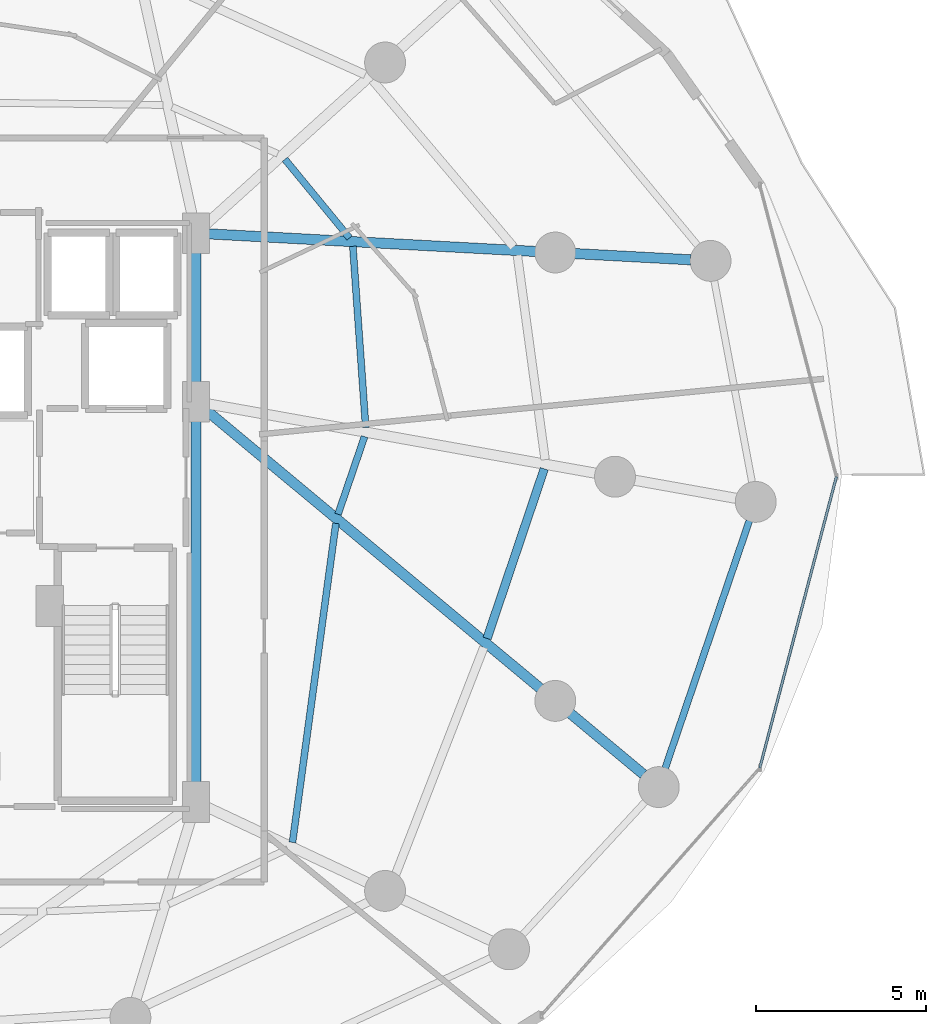
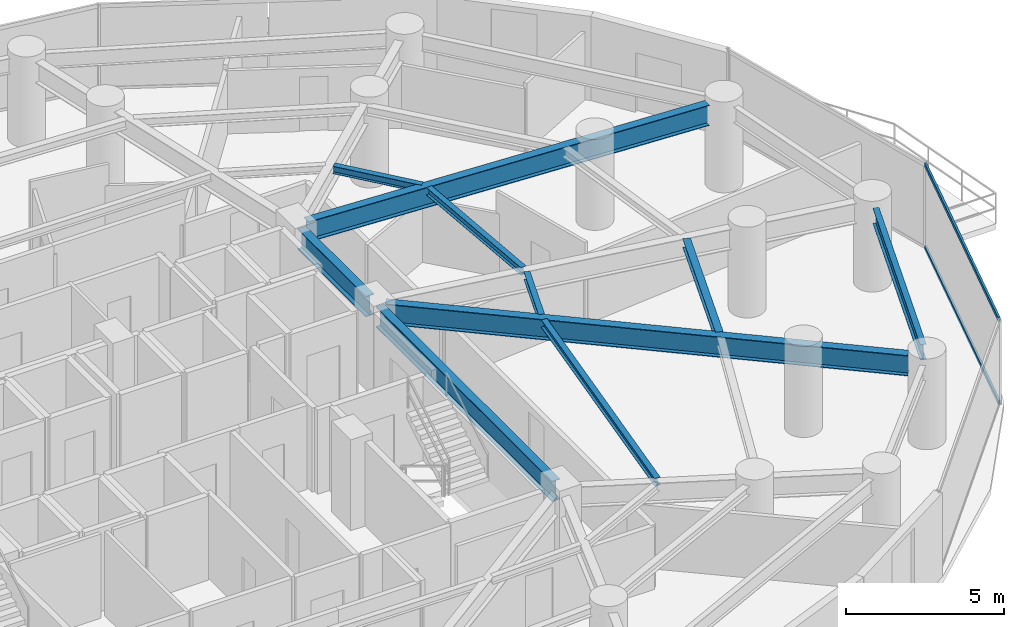
# One storey, part 14 of 33: 10 beams, 2 members, 1 element without a shape of its own.
"""IFC4 building model written with IfcOpenShell, lengths in metres."""

from ifc_helpers import new_model, si_unit, direction, frame, origin, origin_2d, place, context, subcontext, project, spatial, hollow_rectangle, i_section, extrude, material, material_profile, profile_set, type_object, element, aggregate, save


model = new_model("IFC4")

# Units and contexts
model_context = context("Model", 3, precision=1e-05, world=origin(), true_north=direction((0.0, 1.0)))
body_context = subcontext(model_context, "Body", "Model", "MODEL_VIEW")
ifc_project = project(units=[si_unit("LENGTHUNIT", "METRE"), si_unit("AREAUNIT", "SQUARE_METRE"), si_unit("VOLUMEUNIT", "CUBIC_METRE"), si_unit("PLANEANGLEUNIT", "RADIAN"), si_unit("MASSUNIT", "GRAM", prefix="KILO")], contexts=[model_context])

# Site, building, storey
site_placement = place(None, origin())
site = spatial("IfcSite", under=ifc_project, at=site_placement, CompositionType="ELEMENT")
building_placement = place(site_placement, origin())
building = spatial("IfcBuilding", under=site, at=building_placement, Name="Vorneva Point Tower", CompositionType="ELEMENT")
storey_placement = place(building_placement, frame((0.0, 0.0, 59.0)))
storey = spatial("IfcBuildingStorey", under=building, at=storey_placement, Name="L15", CompositionType="ELEMENT", Elevation=59.0)

# Beams
ifc_material_1 = material(Name="Steel S355", Category="steel")
ifc_material_profile_1 = material_profile(ifc_material_1, i_section(OverallWidth=0.300048828125, OverallDepth=0.7880859375, WebThickness=0.014404296875, FlangeThickness=0.02197265625, at=origin_2d()), Name="80Sh1")
ifc_profile_set_1 = profile_set([ifc_material_profile_1], Name="Steel S355")
beam_type_1 = type_object("IfcBeamType", Name="BM-GRD-80Sh1", PredefinedType="USERDEFINED", material=ifc_profile_set_1)
beam_1_placement = place(storey_placement, frame((63.267333984375, 32.368408203125, 2.845947265625), z_axis=(-0.998554321193, 0.053751908115, 0.0), x_axis=(-0.053751908115, -0.998554321193, 0.0)))
element("IfcBeam", 1, at=beam_1_placement, inside=storey, type_object=beam_type_1, Name="L15 Radial Primary Girder 02", ObjectType="GIRDER", PredefinedType="USERDEFINED", context=body_context, shape_type="SweptSolid", body=[
    extrude(i_section(OverallWidth=0.300048828125, OverallDepth=0.7880859375, WebThickness=0.014404296875, FlangeThickness=0.02197265625, at=origin_2d()), origin(), (0.0, 0.0, 1.0), 14.1982421875),
])
beam_2_placement = place(storey_placement, frame((61.883056640625, 17.2626953125, 2.845947265625), z_axis=(-0.768420748131, 0.639944961572, 0.0), x_axis=(-0.639944961572, -0.768420748131, 0.0)))
element("IfcBeam", 2, at=beam_2_placement, inside=storey, type_object=beam_type_1, Name="L15 Radial Primary Girder 16", ObjectType="GIRDER", PredefinedType="USERDEFINED", context=body_context, shape_type="SweptSolid", body=[
    extrude(i_section(OverallWidth=0.300048828125, OverallDepth=0.7880859375, WebThickness=0.014404296875, FlangeThickness=0.02197265625, at=origin_2d()), origin(), (0.0, 0.0, 1.0), 16.7509765625),
])
beam_3_placement = place(storey_placement, frame((48.75, 16.77001953125, 2.845947265625), z_axis=(0.0, 1.0, 0.0), x_axis=(-1.0, 0.0, 0.0)))
element("IfcBeam", 3, at=beam_3_placement, inside=storey, type_object=beam_type_1, Name="L15 Core Tie Girder CT3", ObjectType="GIRDER", PredefinedType="USERDEFINED", context=body_context, shape_type="SweptSolid", body=[
    extrude(i_section(OverallWidth=0.300048828125, OverallDepth=0.7880859375, WebThickness=0.014404296875, FlangeThickness=0.02197265625, at=origin_2d()), origin(), (0.0, 0.0, 1.0), 11.10986328125),
])
beam_4_placement = place(storey_placement, frame((48.75, 28.52001953125, 2.845947265625), z_axis=(0.0, 1.0, 0.0), x_axis=(-1.0, 0.0, 0.0)))
element("IfcBeam", 4, at=beam_4_placement, inside=storey, type_object=beam_type_1, Name="L15 Core Tie Girder CT4", ObjectType="GIRDER", PredefinedType="USERDEFINED", context=body_context, shape_type="SweptSolid", body=[
    extrude(i_section(OverallWidth=0.300048828125, OverallDepth=0.7880859375, WebThickness=0.014404296875, FlangeThickness=0.02197265625, at=origin_2d()), origin(), (0.0, 0.0, 1.0), 4.31005859375),
])
ifc_material_profile_2 = material_profile(ifc_material_1, i_section(OverallWidth=0.199951171875, OverallDepth=0.291015625, WebThickness=0.008056640625, FlangeThickness=0.010986328125, at=origin_2d()), Name="30Sh1")
ifc_profile_set_2 = profile_set([ifc_material_profile_2], Name="Steel S355")
beam_type_2 = type_object("IfcBeamType", Name="BM-SEC-30Sh1", PredefinedType="BEAM", material=ifc_profile_set_2)
beam_5_placement = place(storey_placement, frame((53.73046875, 27.445068359375, 3.094482421875), z_axis=(-0.070863166542, 0.997486045831, 0.0), x_axis=(-0.997486045831, -0.070863166542, 0.0)))
element("IfcBeam", 5, at=beam_5_placement, inside=storey, type_object=beam_type_2, Name="L15 Secondary Floor Beam 2.01", PredefinedType="BEAM", context=body_context, shape_type="SweptSolid", body=[
    extrude(i_section(OverallWidth=0.199951171875, OverallDepth=0.291015625, WebThickness=0.008056640625, FlangeThickness=0.010986328125, at=origin_2d()), origin(), (0.0, 0.0, 1.0), 5.333251953125),
])
beam_6_placement = place(storey_placement, frame((53.25537109375, 33.00927734375, 3.094482421875), z_axis=(-0.634779472227, 0.772693355503, 0.0), x_axis=(-0.772693355503, -0.634779472227, 0.0)))
element("IfcBeam", 6, at=beam_6_placement, inside=storey, type_object=beam_type_2, Name="L15 Secondary Floor Beam 2.02", PredefinedType="BEAM", context=body_context, shape_type="SweptSolid", body=[
    extrude(i_section(OverallWidth=0.199951171875, OverallDepth=0.291015625, WebThickness=0.008056640625, FlangeThickness=0.010986328125, at=origin_2d()), origin(), (0.0, 0.0, 1.0), 2.989990234375),
])
beam_7_placement = place(storey_placement, frame((51.580810546875, 15.2626953125, 3.094482421875), z_axis=(0.134707523593, 0.99088540361, 0.0), x_axis=(-0.99088540361, 0.134707523593, 0.0)))
element("IfcBeam", 7, at=beam_7_placement, inside=storey, type_object=beam_type_2, Name="L15 Secondary Floor Beam 2.15", PredefinedType="BEAM", context=body_context, shape_type="SweptSolid", body=[
    extrude(i_section(OverallWidth=0.199951171875, OverallDepth=0.291015625, WebThickness=0.008056640625, FlangeThickness=0.010986328125, at=origin_2d()), origin(), (0.0, 0.0, 1.0), 9.453369140625),
])
beam_8_placement = place(storey_placement, frame((52.91748046875, 24.897216796875, 3.094482421875), z_axis=(0.323121713723, 0.946357415631, 0.0), x_axis=(-0.946357415631, 0.323121713723, 0.0)))
element("IfcBeam", 8, at=beam_8_placement, inside=storey, type_object=beam_type_2, Name="L15 Secondary Floor Beam 2.16", PredefinedType="BEAM", context=body_context, shape_type="SweptSolid", body=[
    extrude(i_section(OverallWidth=0.199951171875, OverallDepth=0.291015625, WebThickness=0.008056640625, FlangeThickness=0.010986328125, at=origin_2d()), origin(), (0.0, 0.0, 1.0), 2.40869140625),
])
ifc_material_profile_3 = material_profile(ifc_material_1, i_section(OverallWidth=0.2490234375, OverallDepth=0.333984375, WebThickness=0.008056640625, FlangeThickness=0.010986328125, at=origin_2d()), Name="35Sh1")
ifc_profile_set_3 = profile_set([ifc_material_profile_3], Name="Steel S355")
beam_type_3 = type_object("IfcBeamType", Name="BM-SEC-35Sh1", PredefinedType="BEAM", material=ifc_profile_set_3)
beam_9_placement = place(storey_placement, frame((57.293212890625, 21.252685546875, 3.072998046875), z_axis=(0.319500788123, 0.947586010022, 0.0), x_axis=(-0.947586010022, 0.319500788123, 0.0)))
element("IfcBeam", 9, at=beam_9_placement, inside=storey, type_object=beam_type_3, Name="L15 Secondary Floor Beam 1.16", PredefinedType="BEAM", context=body_context, shape_type="SweptSolid", body=[
    extrude(i_section(OverallWidth=0.2490234375, OverallDepth=0.333984375, WebThickness=0.008056640625, FlangeThickness=0.010986328125, at=origin_2d()), origin(), (0.0, 0.0, 1.0), 5.255615234375),
])
ifc_material_profile_4 = material_profile(ifc_material_1, i_section(OverallWidth=0.198974609375, OverallDepth=0.595947265625, WebThickness=0.010009765625, FlangeThickness=0.014892578125, at=origin_2d()), Name="60B1")
ifc_profile_set_4 = profile_set([ifc_material_profile_4], Name="Steel S355")
beam_type_4 = type_object("IfcBeamType", Name="BM-SPN-60B1", PredefinedType="SPANDREL", material=ifc_profile_set_4)
beam_10_placement = place(storey_placement, frame((62.523193359375, 17.4404296875, 2.94189453125), z_axis=(0.321909576381, 0.946770418124, 0.0), x_axis=(-0.946770418124, 0.321909576381, 0.0)))
element("IfcBeam", 10, at=beam_10_placement, inside=storey, type_object=beam_type_4, Name="L15 Perimeter Spandrel Ring Beam 16", PredefinedType="SPANDREL", context=body_context, shape_type="SweptSolid", body=[
    extrude(i_section(OverallWidth=0.198974609375, OverallDepth=0.595947265625, WebThickness=0.010009765625, FlangeThickness=0.014892578125, at=origin_2d()), origin(), (0.0, 0.0, 1.0), 7.675048828125),
])

# Curtain wall, members
ifc_material_2 = material(Name="Pale anodised aluminium", Category="aluminium")
curtain_wall_type = type_object("IfcCurtainWallType", Name="CW-HTL-SYS", PredefinedType="NOTDEFINED", material=ifc_material_2)
curtain_wall_placement = place(storey_placement, origin())
curtain_wall = element("IfcCurtainWall", 11, at=curtain_wall_placement, inside=storey, type_object=curtain_wall_type, Name="L15 Unitised Curtain Wall CW-L15-R01", PredefinedType="NOTDEFINED")
ifc_material_profile_5 = material_profile(ifc_material_2, hollow_rectangle(XDim=0.074951171875, YDim=0.14990234375, WallThickness=0.00390625, at=origin_2d()), Name="AL-TRN 150x75x4")
ifc_profile_set_5 = profile_set([ifc_material_profile_5], Name="Pale anodised aluminium")
member_type = type_object("IfcMemberType", Name="CW-TRN-150", PredefinedType="USERDEFINED", material=ifc_profile_set_5)
member_1_placement = place(storey_placement, frame((65.300537109375, 17.447021484375, 0.02001953125), z_axis=(0.254358772746, 0.967109928978, 0.0), x_axis=(-0.967109928978, 0.254358772746, 0.0)))
member_1 = element("IfcMember", 12, at=member_1_placement, type_object=member_type, Name="CW-L15-R01 Transom 02.1", ObjectType="TRANSOM", PredefinedType="USERDEFINED", context=body_context, shape_type="SweptSolid", body=[
    extrude(hollow_rectangle(XDim=0.074951171875, YDim=0.14990234375, WallThickness=0.00390625, at=origin_2d()), origin(), (0.0, 0.0, 1.0), 8.84375),
])
member_2_placement = place(storey_placement, frame((65.300537109375, 17.447021484375, 3.219970703125), z_axis=(0.254358772746, 0.967109928978, 0.0), x_axis=(-0.967109928978, 0.254358772746, 0.0)))
member_2 = element("IfcMember", 13, at=member_2_placement, type_object=member_type, Name="CW-L15-R01 Transom 02.2", ObjectType="TRANSOM", PredefinedType="USERDEFINED", context=body_context, shape_type="SweptSolid", body=[
    extrude(hollow_rectangle(XDim=0.074951171875, YDim=0.14990234375, WallThickness=0.00390625, at=origin_2d()), origin(), (0.0, 0.0, 1.0), 8.84375),
])
aggregate(curtain_wall, [member_1, member_2])

save(model, "model.ifc")
